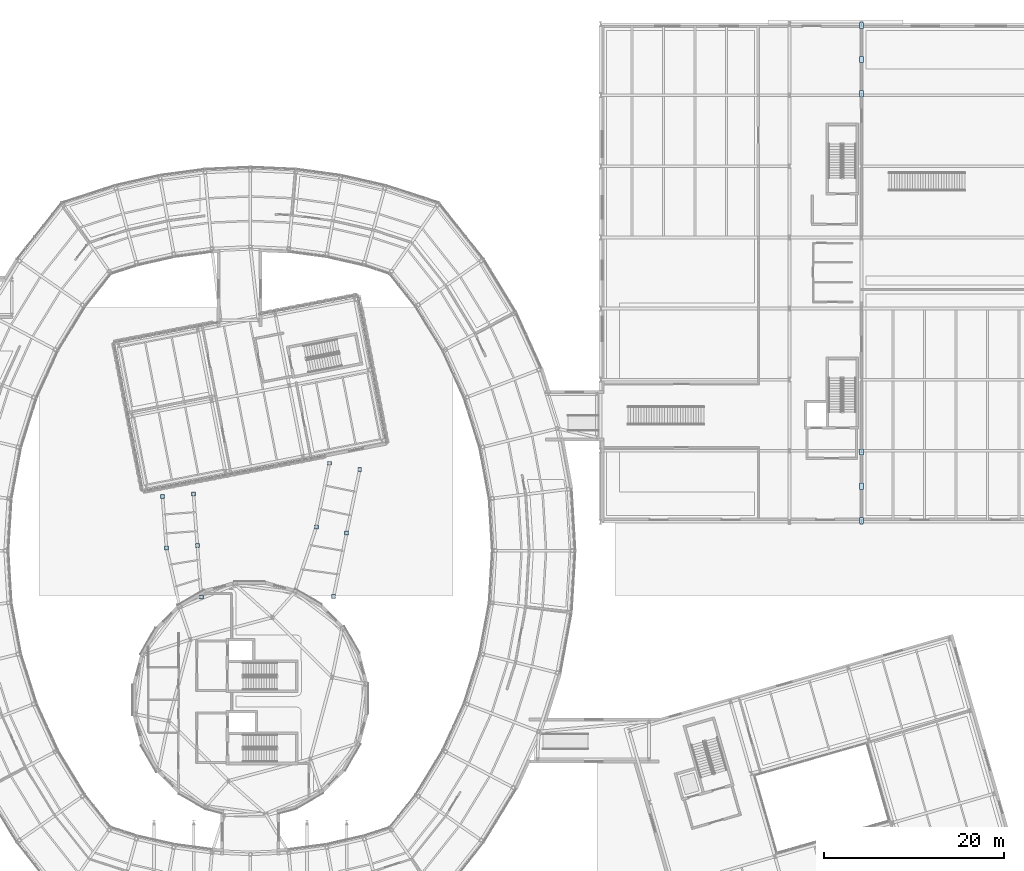
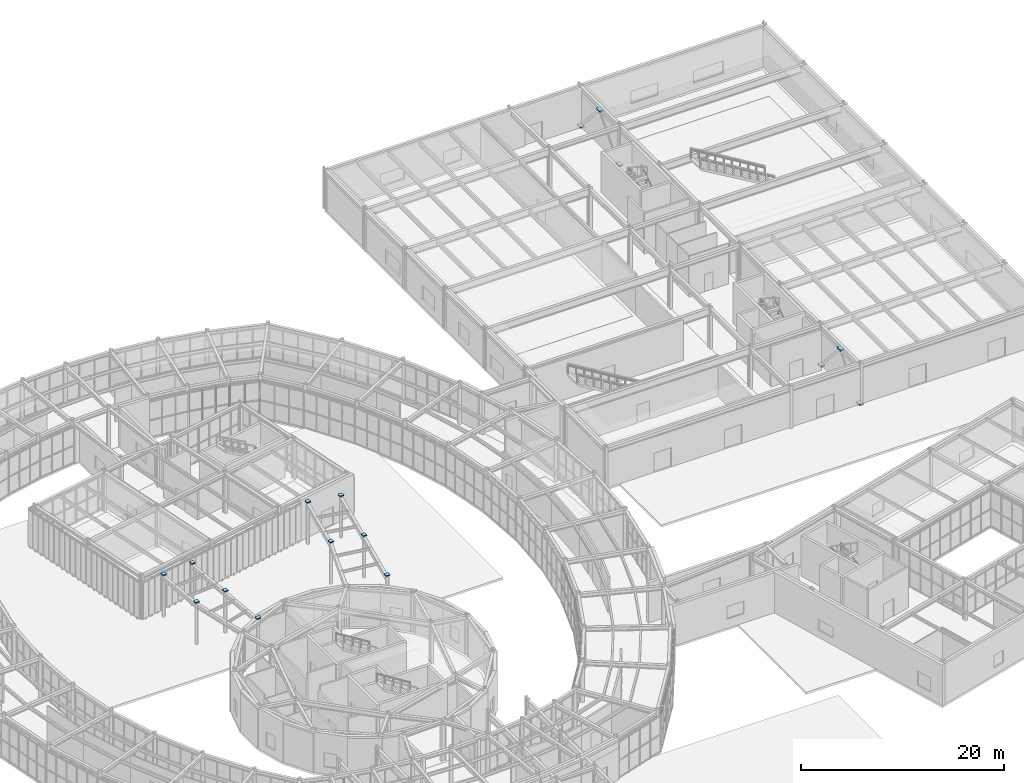
# One storey, part 68 of 97: 16 plates.
"""IFC4 building model written with IfcOpenShell, lengths in metres."""

from ifc_helpers import new_model, si_unit, direction, frame, origin, origin_2d, place, context, subcontext, project, spatial, rectangle, extrude, material, layer, layer_set, type_object, element, save


model = new_model("IFC4")

# Units and contexts
model_context = context("Model", 3, precision=1e-05, world=origin(), true_north=direction((0.0, 1.0)))
body_context = subcontext(model_context, "Body", "Model", "MODEL_VIEW")
ifc_project = project(units=[si_unit("LENGTHUNIT", "METRE"), si_unit("AREAUNIT", "SQUARE_METRE"), si_unit("VOLUMEUNIT", "CUBIC_METRE"), si_unit("PLANEANGLEUNIT", "RADIAN"), si_unit("MASSUNIT", "GRAM", prefix="KILO")], contexts=[model_context])

# Site, building, storey
site_placement = place(None, origin())
site = spatial("IfcSite", under=ifc_project, at=site_placement, CompositionType="ELEMENT")
building_placement = place(site_placement, origin())
building = spatial("IfcBuilding", under=site, at=building_placement, Name="Varnklinge Art Gallery", CompositionType="ELEMENT")
storey_placement = place(building_placement, origin())
storey = spatial("IfcBuildingStorey", under=building, at=storey_placement, Name="L00", CompositionType="ELEMENT", Elevation=0.0)

# Plates
ifc_material = material(Name="Steel S355", Category="steel")
ifc_layer = layer(ifc_material, 0.159912109375)
ifc_layer_set = layer_set([ifc_layer], Name="Steel S355")
plate_type = type_object("IfcPlateType", Name="PLT-GP2", PredefinedType="USERDEFINED", material=ifc_layer_set)
for number, where, z_axis, x_axis, name in (
    (1, (70.0478515625, 49.85205078125, 5.0), (0.0, 0.0, 1.0), (1.0, 0.0, 0.0), "L00 Hollow Column End Cap Plate BRG-1-CL1"),
    (2, (69.613037109375, 55.563720703125, 5.0), (0.0, 0.0, 1.0), (1.0, 0.0, 0.0), "L00 Hollow Column End Cap Plate BRG-1-CL2"),
    (3, (69.17822265625, 61.275390625, 5.0), (0.0, 0.0, 1.0), (1.0, 0.0, 0.0), "L00 Hollow Column End Cap Plate BRG-1-CL3"),
    (4, (66.178955078125, 55.30224609375, 5.0), (0.0, 0.0, 1.0), (1.0, 0.0, 0.0), "L00 Hollow Column End Cap Plate BRG-1-CR2"),
    (5, (65.744140625, 61.013916015625, 5.0), (0.0, 0.0, 1.0), (1.0, 0.0, 0.0), "L00 Hollow Column End Cap Plate BRG-1-CR3"),
    (6, (84.751220703125, 49.89794921875, 5.0), (0.0, 0.0, 1.0), (1.0, 0.0, 0.0), "L00 Hollow Column End Cap Plate BRG-2-CL1"),
    (7, (86.20263671875, 56.9560546875, 5.0), (0.0, 0.0, 1.0), (1.0, 0.0, 0.0), "L00 Hollow Column End Cap Plate BRG-2-CL2"),
    (8, (87.654052734375, 64.01416015625, 5.0), (0.0, 0.0, 1.0), (1.0, 0.0, 0.0), "L00 Hollow Column End Cap Plate BRG-2-CL3"),
    (9, (82.8291015625, 57.64990234375, 5.0), (0.0, 0.0, 1.0), (1.0, 0.0, 0.0), "L00 Hollow Column End Cap Plate BRG-2-CR2"),
    (10, (84.28076171875, 64.7080078125, 5.0), (0.0, 0.0, 1.0), (1.0, 0.0, 0.0), "L00 Hollow Column End Cap Plate BRG-2-CR3"),
):
    element("IfcPlate", number, at=place(storey_placement, frame(where, z_axis=z_axis, x_axis=x_axis)), inside=storey, type_object=plate_type, Name=name, ObjectType="GUSSET PLATE", PredefinedType="USERDEFINED", context=body_context, shape_type="SweptSolid", body=[
        extrude(rectangle(XDim=0.43994140625, YDim=0.43994140625, at=origin_2d()), origin(), (0.0, 0.0, 1.0), 0.1201171875),
    ])
for number, where, z_axis, x_axis, name in (
    (11, (143.39990234375, 58.360107421875, -0.06005859375), (0.0, 0.0, 1.0), (0.0, 1.0, 0.0), "L00 Braced Frame Gusset Node Block V1E-B0-L"),
    (12, (143.39990234375, 65.93994140625, -0.06005859375), (0.0, 0.0, 1.0), (0.0, 1.0, 0.0), "L00 Braced Frame Gusset Node Block V1E-B0-R"),
    (13, (143.39990234375, 62.14990234375, 4.2001953125), (0.0, 0.0, 1.0), (0.0, 1.0, 0.0), "L00 Braced Frame Gusset Node Block V1E-B0-M"),
    (14, (143.39990234375, 105.760009765625, -0.06005859375), (0.0, 0.0, 1.0), (0.0, 1.0, 0.0), "L00 Braced Frame Gusset Node Block V1E-B6-L"),
    (15, (143.39990234375, 113.340087890625, -0.06005859375), (0.0, 0.0, 1.0), (0.0, 1.0, 0.0), "L00 Braced Frame Gusset Node Block V1E-B6-R"),
    (16, (143.39990234375, 109.550048828125, 4.2001953125), (0.0, 0.0, 1.0), (0.0, 1.0, 0.0), "L00 Braced Frame Gusset Node Block V1E-B6-M"),
):
    element("IfcPlate", number, at=place(storey_placement, frame(where, z_axis=z_axis, x_axis=x_axis)), inside=storey, type_object=plate_type, Name=name, ObjectType="GUSSET PLATE", PredefinedType="USERDEFINED", context=body_context, shape_type="SweptSolid", body=[
        extrude(rectangle(XDim=0.679931640625, YDim=0.43994140625, at=origin_2d()), origin(), (0.0, 0.0, 1.0), 0.159912109375),
    ])

save(model, "model.ifc")
